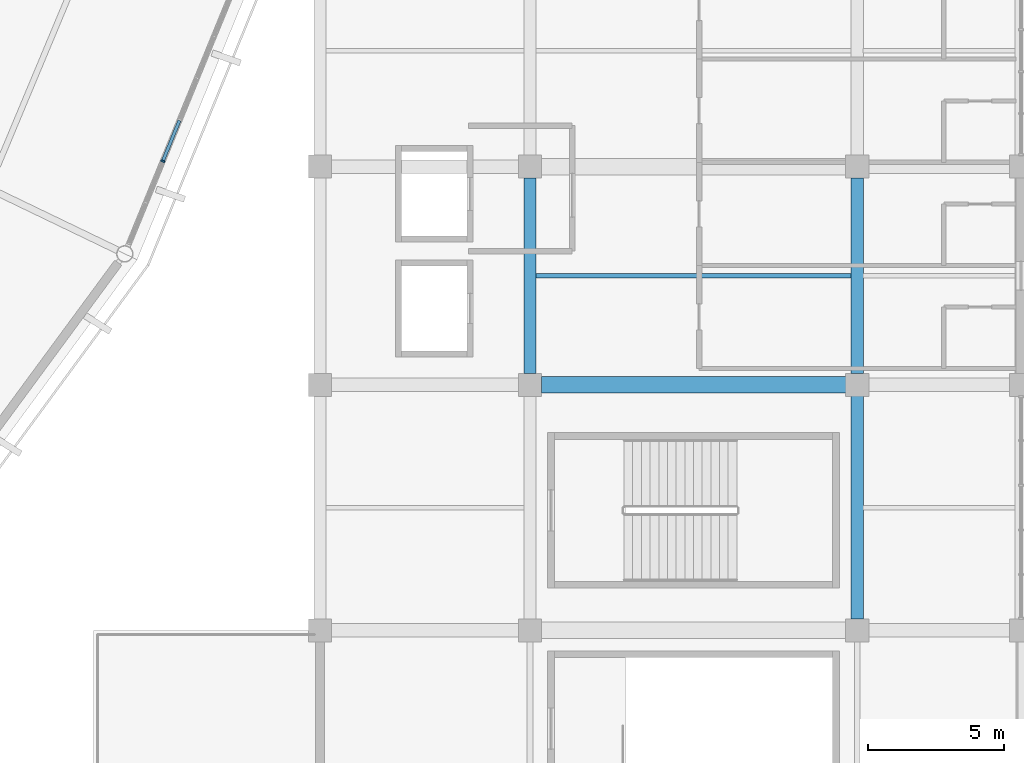
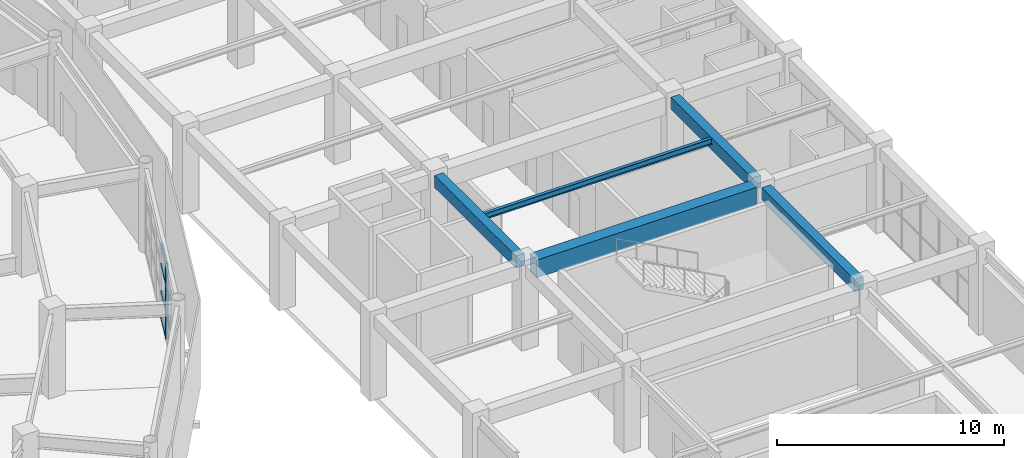
# One storey, part 65 of 122: 5 beams, 5 members, 1 element without a shape of its own.
"""IFC4 building model written with IfcOpenShell, lengths in metres."""

import ifcopenshell
import ifcopenshell.guid

model = None  # the IFC model being written
_history = None  # IfcOwnerHistory: only IFC2X3 demands one
_inside = {}  # id of a spatial element -> (the spatial element, [elements in it])
_under = {}  # id of a project, library or spatial element -> (it, [spatial elements below it])
_declared = {}  # id of a project -> (the project, [libraries it declares])
_typed = {}  # id of a type object -> (the type object, [elements of that type])
_made_of = {}  # id of a material, layer set ... -> (it, [elements and type objects made of it])


def new_model(schema):
    """Start an empty IFC model of exactly this schema.

    Asked for "IFC4X3", IfcOpenShell would pick the latest addendum, in which some entities
    have other attributes; the version numbers below select the first issue.
    IFC2X3 requires an IfcOwnerHistory on every rooted entity: one is made here for all.
    """
    global model, _history
    if schema == "IFC4X3":
        model = ifcopenshell.file(schema_version=(4, 3, 0, 0))
    else:
        model = ifcopenshell.file(schema=schema)
    _inside.clear()
    _under.clear()
    _declared.clear()
    _typed.clear()
    _made_of.clear()
    _history = None
    if model.schema == "IFC2X3":
        org = make("IfcOrganization", Name="unknown")
        user = make(
            "IfcPersonAndOrganization",
            ThePerson=make("IfcPerson", FamilyName="unknown"),
            TheOrganization=org,
        )
        app = make(
            "IfcApplication",
            ApplicationDeveloper=org,
            Version="unknown",
            ApplicationFullName="unknown",
            ApplicationIdentifier="unknown",
        )
        _history = make(
            "IfcOwnerHistory",
            OwningUser=user,
            OwningApplication=app,
            ChangeAction="ADDED",
            CreationDate=0,
        )
    return model


def make(cls, **values):
    """One entity of the class cls with the attributes given. An attribute that is None is left unset."""
    return model.create_entity(
        cls, **{name: value for name, value in values.items() if value is not None}
    )


def rooted(cls, **values):
    """An entity with a GlobalId (a new one), such as an element, a storey or a relation."""
    return make(cls, GlobalId=ifcopenshell.guid.new(), OwnerHistory=_history, **values)


def si_unit(unit_type, name, prefix=None):
    """IfcSIUnit, for example si_unit("LENGTHUNIT", "METRE", prefix="MILLI")."""
    return make("IfcSIUnit", UnitType=unit_type, Prefix=prefix, Name=name)


def assignment(units):
    """IfcUnitAssignment: the units of a project."""
    return None if units is None else make("IfcUnitAssignment", Units=units)


def point(xyz):
    """IfcCartesianPoint."""
    return None if xyz is None else make("IfcCartesianPoint", Coordinates=xyz)


def direction(xyz):
    """IfcDirection."""
    return None if xyz is None else make("IfcDirection", DirectionRatios=xyz)


def frame(location, z_axis=None, x_axis=None):
    """IfcAxis2Placement3D, a coordinate frame: its origin and axes. An axis left out is left unset."""
    return make(
        "IfcAxis2Placement3D",
        Location=point(location),
        Axis=direction(z_axis),
        RefDirection=direction(x_axis),
    )


def frame_2d(location, x_axis=None):
    """IfcAxis2Placement2D, a coordinate frame in the plane: its origin and x axis."""
    return make(
        "IfcAxis2Placement2D", Location=point(location), RefDirection=direction(x_axis)
    )


def origin():
    """The frame at (0, 0, 0) with its axes left unset."""
    return frame((0.0, 0.0, 0.0))


def origin_2d():
    """The frame at (0, 0) in the plane with its x axis left unset."""
    return frame_2d((0.0, 0.0))


def place(relative_to, where):
    """IfcLocalPlacement: puts the frame where relative to a parent placement (None: the world)."""
    return make(
        "IfcLocalPlacement", PlacementRelTo=relative_to, RelativePlacement=where
    )


def context(
    kind, dimensions, precision=None, world=None, true_north=None, identifier=None
):
    """IfcGeometricRepresentationContext, for example the 3D "Model" context."""
    return make(
        "IfcGeometricRepresentationContext",
        ContextIdentifier=identifier,
        ContextType=kind,
        CoordinateSpaceDimension=dimensions,
        Precision=precision,
        WorldCoordinateSystem=world,
        TrueNorth=true_north,
    )


def subcontext(parent, identifier, kind, view, scale=None):
    """IfcGeometricRepresentationSubContext, for example "Body" below "Model"."""
    return make(
        "IfcGeometricRepresentationSubContext",
        ContextIdentifier=identifier,
        ContextType=kind,
        ParentContext=parent,
        TargetScale=scale,
        TargetView=view,
    )


def project(units=None, contexts=None):
    """IfcProject with its units and contexts."""
    return rooted(
        "IfcProject",
        Name="project",
        RepresentationContexts=contexts,
        UnitsInContext=assignment(units),
    )


def spatial(cls, under=None, at=None, **own):
    """A site, building, storey or space (cls), placed at a placement, below another one or the project."""
    s = rooted(cls, ObjectPlacement=at, **own)
    if under is not None:
        _under.setdefault(under.id(), (under, []))[1].append(s)
    return s


def profile(cls, at=None, kind="AREA", **sizes):
    """A parametric profile (cls). Its sizes go by their IFC names, for example OverallWidth=200.0."""
    return make(cls, ProfileType=kind, Position=at, **sizes)


def rectangle(**sizes):
    """IfcRectangleProfileDef."""
    return profile("IfcRectangleProfileDef", **sizes)


def i_section(**sizes):
    """IfcIShapeProfileDef."""
    return profile("IfcIShapeProfileDef", **sizes)


def extrude(swept, where, along, depth):
    """IfcExtrudedAreaSolid: the profile swept, set in the frame where, extruded along a direction by depth."""
    return make(
        "IfcExtrudedAreaSolid",
        SweptArea=swept,
        Position=where,
        ExtrudedDirection=direction(along),
        Depth=depth,
    )


def shape(context_of_items, identifier, shape_type, items):
    """IfcShapeRepresentation: the items that make up one representation, for example the "Body"."""
    return make(
        "IfcShapeRepresentation",
        ContextOfItems=context_of_items,
        RepresentationIdentifier=identifier,
        RepresentationType=shape_type,
        Items=items,
    )


def material(Name=None, Category=None):
    """IfcMaterial."""
    return make("IfcMaterial", Name=Name, Category=Category)


def material_profile(
    of_material, cross_section, Name=None, Category=None, Priority=None
):
    """IfcMaterialProfile: a cross section and its material."""
    return make(
        "IfcMaterialProfile",
        Name=Name,
        Material=of_material,
        Profile=cross_section,
        Priority=Priority,
        Category=Category,
    )


def profile_set(profiles, Name=None, composite=None):
    """IfcMaterialProfileSet."""
    return make(
        "IfcMaterialProfileSet",
        Name=Name,
        MaterialProfiles=profiles,
        CompositeProfile=composite,
    )


def made_of(thing, what):
    """Note that an element or type object is made of a material, layer set ...; save() writes the relation."""
    if what is not None:
        _made_of.setdefault(what.id(), (what, []))[1].append(thing)
    return thing


def type_object(cls, material=None, **own):
    """A type object (cls), such as IfcWallType, which elements share."""
    return made_of(rooted(cls, **own), material)


def element(
    cls,
    number,
    at=None,
    inside=None,
    cuts=None,
    type_object=None,
    material=None,
    context=None,
    identifier="Body",
    shape_type=None,
    held_by="IfcProductDefinitionShape",
    body=None,
    shapes=None,
    **own,
):
    """One element of the class cls, such as IfcWall. Its Tag is "e" and its number.

    at: its placement. inside: the storey or other place that contains it. cuts: it is an
    opening in that element (IfcRelVoidsElement). A single representation is given by context,
    identifier, shape_type and body (its items); several are given by shapes. held_by: the class
    of the entity that holds the representations. save() writes the other relations.
    """
    e = rooted(cls, Tag="e%d" % number, ObjectPlacement=at, **own)
    if body is not None:
        shapes = [shape(context, identifier, shape_type, body)]
    if shapes is not None:
        e.Representation = make(held_by, Representations=shapes)
    if inside is not None:
        _inside.setdefault(inside.id(), (inside, []))[1].append(e)
    if cuts is not None:
        rooted(
            "IfcRelVoidsElement", RelatingBuildingElement=cuts, RelatedOpeningElement=e
        )
    if type_object is not None:
        _typed.setdefault(type_object.id(), (type_object, []))[1].append(e)
    return made_of(e, material)


def aggregate(whole, parts):
    """IfcRelAggregates: a whole, such as a stair, and the parts it consists of."""
    return rooted("IfcRelAggregates", RelatingObject=whole, RelatedObjects=parts)


def save(model, path):
    """Write the relations noted so far, then the file.

    IfcRelAggregates (storeys below a building ...), IfcRelContainedInSpatialStructure (elements
    in a storey), IfcRelDefinesByType, IfcRelAssociatesMaterial and IfcRelDeclares: one each for
    every whole, place, type object, material and project.
    """
    for whole, parts in _under.values():
        aggregate(whole, parts)
    for where, things in _inside.values():
        rooted(
            "IfcRelContainedInSpatialStructure",
            RelatedElements=things,
            RelatingStructure=where,
        )
    for kind, things in _typed.values():
        rooted("IfcRelDefinesByType", RelatedObjects=things, RelatingType=kind)
    for what, things in _made_of.values():
        rooted("IfcRelAssociatesMaterial", RelatedObjects=things, RelatingMaterial=what)
    for by, libraries in _declared.values():
        rooted("IfcRelDeclares", RelatingContext=by, RelatedDefinitions=libraries)
    model.write(path)


model = new_model("IFC4")

# Units and contexts
model_context = context("Model", 3, precision=1e-05, world=origin(), true_north=direction((0.0, 1.0)))
body_context = subcontext(model_context, "Body", "Model", "MODEL_VIEW")
ifc_project = project(units=[si_unit("LENGTHUNIT", "METRE"), si_unit("AREAUNIT", "SQUARE_METRE"), si_unit("VOLUMEUNIT", "CUBIC_METRE"), si_unit("PLANEANGLEUNIT", "RADIAN"), si_unit("MASSUNIT", "GRAM", prefix="KILO")], contexts=[model_context])

# Site, building, storey
site_placement = place(None, origin())
site = spatial("IfcSite", under=ifc_project, at=site_placement, CompositionType="ELEMENT")
building_placement = place(site_placement, origin())
building = spatial("IfcBuilding", under=site, at=building_placement, Name="Cuetzalor Civic Arena", CompositionType="ELEMENT")
storey_placement = place(building_placement, frame((0.0, 0.0, 16.199951171875)))
storey = spatial("IfcBuildingStorey", under=building, at=storey_placement, Name="L03", CompositionType="ELEMENT", Elevation=16.199951171875)

# Beams
ifc_material_1 = material(Name="Concrete C40/50", Category="concrete")
ifc_material_profile_1 = material_profile(ifc_material_1, rectangle(XDim=0.60009765625, YDim=0.949951171875, at=origin_2d()), Name="RC 600x950")
ifc_profile_set_1 = profile_set([ifc_material_profile_1], Name="Concrete C40/50")
beam_type_1 = type_object("IfcBeamType", Name="ConcreteFrameBeam_600x950", PredefinedType="BEAM", material=ifc_profile_set_1)
beam_1_placement = place(storey_placement, frame((64.4150390625, -25.0, 4.045166015625), z_axis=(1.0, 0.0, 0.0), x_axis=(0.0, 1.0, 0.0)))
element("IfcBeam", 1, at=beam_1_placement, inside=storey, type_object=beam_type_1, Name="Frame Girder V4E-L03-X0966", PredefinedType="BEAM", context=body_context, shape_type="SweptSolid", body=[
    extrude(rectangle(XDim=0.60009765625, YDim=0.949951171875, at=origin_2d()), origin(), (0.0, 0.0, 1.0), 11.169921875),
])
ifc_material_2 = material(Name="Concrete C40/50", Category="concrete")
ifc_material_profile_2 = material_profile(ifc_material_2, rectangle(XDim=0.449951171875, YDim=0.64990234375, at=origin_2d()), Name="RC 450x650")
ifc_profile_set_2 = profile_set([ifc_material_profile_2], Name="Concrete C40/50")
beam_type_2 = type_object("IfcBeamType", Name="ConcreteTieBeam_450x650", PredefinedType="BEAM", material=ifc_profile_set_2)
beam_2_placement = place(storey_placement, frame((64.0, -24.5849609375, 4.195068359375), z_axis=(0.0, 1.0, 0.0), x_axis=(-1.0, 0.0, 0.0)))
element("IfcBeam", 2, at=beam_2_placement, inside=storey, type_object=beam_type_2, Name="Frame Girder V4E-L03-Y1002", PredefinedType="BEAM", context=body_context, shape_type="SweptSolid", body=[
    extrude(rectangle(XDim=0.449951171875, YDim=0.64990234375, at=origin_2d()), origin(), (0.0, 0.0, 1.0), 7.169921875),
])
beam_3_placement = place(storey_placement, frame((76.0, -33.5849609375, 4.195068359375), z_axis=(0.0, 1.0, 0.0), x_axis=(-1.0, 0.0, 0.0)))
element("IfcBeam", 3, at=beam_3_placement, inside=storey, type_object=beam_type_2, Name="Frame Girder V4E-L03-Y1011", PredefinedType="BEAM", context=body_context, shape_type="SweptSolid", body=[
    extrude(rectangle(XDim=0.449951171875, YDim=0.64990234375, at=origin_2d()), origin(), (0.0, 0.0, 1.0), 8.169921875),
])
beam_4_placement = place(storey_placement, frame((76.0, -24.5849609375, 4.195068359375), z_axis=(0.0, 1.0, 0.0), x_axis=(-1.0, 0.0, 0.0)))
element("IfcBeam", 4, at=beam_4_placement, inside=storey, type_object=beam_type_2, Name="Frame Girder V4E-L03-Y1012", PredefinedType="BEAM", context=body_context, shape_type="SweptSolid", body=[
    extrude(rectangle(XDim=0.449951171875, YDim=0.64990234375, at=origin_2d()), origin(), (0.0, 0.0, 1.0), 7.169921875),
])

# Curtain wall, members
ifc_material_3 = material(Name="Anodised dark bronze aluminium and low-E solar glass", Category="aluminium")
curtain_wall_type = type_object("IfcCurtainWallType", Name="UnitisedCW_9850x4050", PredefinedType="USERDEFINED", material=ifc_material_3)
curtain_wall_placement = place(storey_placement, origin())
curtain_wall = element("IfcCurtainWall", 5, at=curtain_wall_placement, inside=storey, type_object=curtain_wall_type, Name="Drum Triangle Foyer Curtain Wall L03-056", ObjectType="UNITISED CURTAIN WALL", PredefinedType="USERDEFINED")
ifc_material_4 = material(Name="Anodised dark bronze aluminium", Category="aluminium")
ifc_material_profile_3 = material_profile(ifc_material_4, rectangle(XDim=0.06494140625, YDim=0.14990234375, at=origin_2d()), Name="ALU MULLION 65x150")
ifc_profile_set_3 = profile_set([ifc_material_profile_3], Name="Anodised dark bronze aluminium")
member_type_1 = type_object("IfcMemberType", Name="CurtainWallMullion_60x150", PredefinedType="MULLION", material=ifc_profile_set_3)
member_1_placement = place(storey_placement, frame((50.540771484375, -16.800537109375, 0.0), z_axis=(0.0, 0.0, 1.0), x_axis=(-0.379391428583, -0.925236263836, 0.0)))
member_1 = element("IfcMember", 6, at=member_1_placement, type_object=member_type_1, Name="CW-17 mullion 5", PredefinedType="MULLION", context=body_context, shape_type="SweptSolid", body=[
    extrude(rectangle(XDim=0.06494140625, YDim=0.14990234375, at=origin_2d()), origin(), (0.0, 0.0, 1.0), 4.052978515625),
])
ifc_material_5 = material(Name="Anodised dark bronze aluminium", Category="aluminium")
ifc_material_profile_4 = material_profile(ifc_material_5, rectangle(XDim=0.1201171875, YDim=0.06494140625, at=origin_2d()), Name="ALU TRANSOM 65x120")
ifc_profile_set_4 = profile_set([ifc_material_profile_4], Name="Anodised dark bronze aluminium")
member_type_2 = type_object("IfcMemberType", Name="CurtainWallTransom_60x120", PredefinedType="USERDEFINED", material=ifc_profile_set_4)
member_2_placement = place(storey_placement, frame((51.15283203125, -15.307861328125, 0.032470703125), z_axis=(-0.379444503936, -0.925214498607, 0.0), x_axis=(0.925214498607, -0.379444503936, 0.0)))
member_2 = element("IfcMember", 7, at=member_2_placement, type_object=member_type_2, Name="CW-17 transom 4.1", ObjectType="TRANSOM", PredefinedType="USERDEFINED", context=body_context, shape_type="SweptSolid", body=[
    extrude(rectangle(XDim=0.1201171875, YDim=0.06494140625, at=origin_2d()), origin(), (0.0, 0.0, 1.0), 1.580810546875),
])
member_3_placement = place(storey_placement, frame((51.15283203125, -15.307861328125, 1.458984375), z_axis=(-0.379444503936, -0.925214498607, 0.0), x_axis=(0.925214498607, -0.379444503936, 0.0)))
member_3 = element("IfcMember", 8, at=member_3_placement, type_object=member_type_2, Name="CW-17 transom 4.2", ObjectType="TRANSOM", PredefinedType="USERDEFINED", context=body_context, shape_type="SweptSolid", body=[
    extrude(rectangle(XDim=0.1201171875, YDim=0.06494140625, at=origin_2d()), origin(), (0.0, 0.0, 1.0), 1.580810546875),
])
member_4_placement = place(storey_placement, frame((51.15283203125, -15.307861328125, 2.91796875), z_axis=(-0.379444503936, -0.925214498607, 0.0), x_axis=(0.925214498607, -0.379444503936, 0.0)))
member_4 = element("IfcMember", 9, at=member_4_placement, type_object=member_type_2, Name="CW-17 transom 4.3", ObjectType="TRANSOM", PredefinedType="USERDEFINED", context=body_context, shape_type="SweptSolid", body=[
    extrude(rectangle(XDim=0.1201171875, YDim=0.06494140625, at=origin_2d()), origin(), (0.0, 0.0, 1.0), 1.580810546875),
])
member_5_placement = place(storey_placement, frame((51.15283203125, -15.307861328125, 4.0205078125), z_axis=(-0.379444503936, -0.925214498607, 0.0), x_axis=(0.925214498607, -0.379444503936, 0.0)))
member_5 = element("IfcMember", 10, at=member_5_placement, type_object=member_type_2, Name="CW-17 transom 4.4", ObjectType="TRANSOM", PredefinedType="USERDEFINED", context=body_context, shape_type="SweptSolid", body=[
    extrude(rectangle(XDim=0.1201171875, YDim=0.06494140625, at=origin_2d()), origin(), (0.0, 0.0, 1.0), 1.580810546875),
])
aggregate(curtain_wall, [member_1, member_2, member_3, member_4, member_5])

# Beam
ifc_material_6 = material(Name="Steel S355", Category="steel")
ifc_material_profile_5 = material_profile(ifc_material_6, i_section(OverallWidth=0.166015625, OverallDepth=0.31298828125, WebThickness=0.006591796875, FlangeThickness=0.01123046875, at=origin_2d()), Name="W310x45")
ifc_profile_set_5 = profile_set([ifc_material_profile_5], Name="Steel S355")
beam_type_3 = type_object("IfcBeamType", Name="SecondaryRoofJoist_W310", PredefinedType="JOIST", material=ifc_profile_set_5)
beam_5_placement = place(storey_placement, frame((64.217041015625, -21.0, 4.363525390625), z_axis=(1.0, 0.0, 0.0), x_axis=(0.0, 1.0, 0.0)))
element("IfcBeam", 11, at=beam_5_placement, inside=storey, type_object=beam_type_3, Name="Secondary Floor Joist V4E-L03-0303", PredefinedType="JOIST", context=body_context, shape_type="SweptSolid", body=[
    extrude(i_section(OverallWidth=0.166015625, OverallDepth=0.31298828125, WebThickness=0.006591796875, FlangeThickness=0.01123046875, at=origin_2d()), origin(), (0.0, 0.0, 1.0), 11.56591796875),
])

save(model, "model.ifc")
